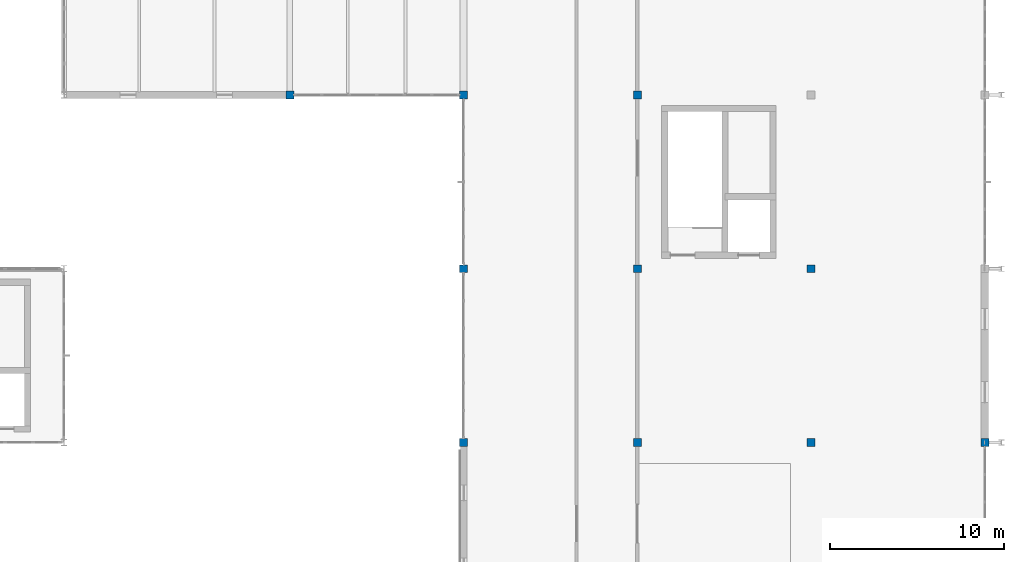
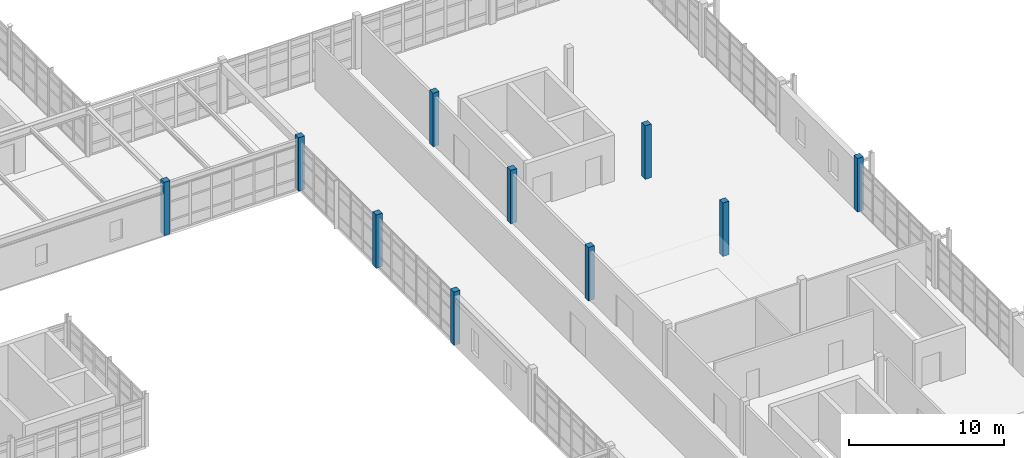
# One storey, part 17 of 122: 10 columns.
"""IFC4 building model written with IfcOpenShell, lengths in metres."""

from ifc_helpers import new_model, si_unit, direction, frame, origin, origin_2d, place, context, subcontext, project, spatial, rectangle, extrude, material, material_profile, profile_set, type_object, element, save


model = new_model("IFC4")

# Units and contexts
model_context = context("Model", 3, precision=1e-05, world=origin(), true_north=direction((0.0, 1.0)))
body_context = subcontext(model_context, "Body", "Model", "MODEL_VIEW")
ifc_project = project(units=[si_unit("LENGTHUNIT", "METRE"), si_unit("AREAUNIT", "SQUARE_METRE"), si_unit("VOLUMEUNIT", "CUBIC_METRE"), si_unit("PLANEANGLEUNIT", "RADIAN"), si_unit("MASSUNIT", "GRAM", prefix="KILO"), si_unit("THERMODYNAMICTEMPERATUREUNIT", "KELVIN"), si_unit("POWERUNIT", "WATT")], contexts=[model_context])

# Site, building, storey
site_placement = place(None, origin())
site = spatial("IfcSite", under=ifc_project, at=site_placement, CompositionType="ELEMENT")
building_placement = place(site_placement, origin())
building = spatial("IfcBuilding", under=site, at=building_placement, Name="Korenveer Ferry Terminal", CompositionType="ELEMENT")
storey_placement = place(building_placement, frame((0.0, 0.0, 10.199951171875)))
storey = spatial("IfcBuildingStorey", under=building, at=storey_placement, Name="L02", CompositionType="ELEMENT", Elevation=10.199951171875)

# Columns
ifc_material = material(Name="Concrete C45/55", Category="concrete")
ifc_material_profile = material_profile(ifc_material, rectangle(XDim=0.449951171875, YDim=0.449951171875, at=origin_2d()), Name="RC 450x450")
ifc_profile_set = profile_set([ifc_material_profile], Name="Concrete C45/55")
column_type = type_object("IfcColumnType", Name="STR-COL-RC450", PredefinedType="COLUMN", material=ifc_profile_set)
for number, where, z_axis, x_axis, name in (
    (1, (136.0, 70.0, 0.0), (0.0, 0.0, 1.0), (1.0, 0.0, 0.0), "Column COL-L02-X136-Y70"),
    (2, (146.0, 50.0, 0.0), (0.0, 0.0, 1.0), (1.0, 0.0, 0.0), "Column COL-L02-X146-Y50"),
    (3, (146.0, 60.0, 0.0), (0.0, 0.0, 1.0), (1.0, 0.0, 0.0), "Column COL-L02-X146-Y60"),
    (4, (146.0, 70.0, 0.0), (0.0, 0.0, 1.0), (1.0, 0.0, 0.0), "Column COL-L02-X146-Y70"),
    (5, (156.0, 50.0, 0.0), (0.0, 0.0, 1.0), (1.0, 0.0, 0.0), "Column COL-L02-X156-Y50"),
    (6, (156.0, 60.0, 0.0), (0.0, 0.0, 1.0), (1.0, 0.0, 0.0), "Column COL-L02-X156-Y60"),
    (7, (156.0, 70.0, 0.0), (0.0, 0.0, 1.0), (1.0, 0.0, 0.0), "Column COL-L02-X156-Y70"),
    (8, (166.0, 50.0, 0.0), (0.0, 0.0, 1.0), (1.0, 0.0, 0.0), "Column COL-L02-X166-Y50"),
    (9, (166.0, 60.0, 0.0), (0.0, 0.0, 1.0), (1.0, 0.0, 0.0), "Column COL-L02-X166-Y60"),
    (10, (176.0, 50.0, 0.0), (0.0, 0.0, 1.0), (1.0, 0.0, 0.0), "Column COL-L02-X176-Y50"),
):
    element("IfcColumn", number, at=place(storey_placement, frame(where, z_axis=z_axis, x_axis=x_axis)), inside=storey, type_object=column_type, Name=name, PredefinedType="COLUMN", context=body_context, shape_type="SweptSolid", body=[
        extrude(rectangle(XDim=0.449951171875, YDim=0.449951171875, at=origin_2d()), origin(), (0.0, 0.0, 1.0), 4.199951171875),
    ])

save(model, "model.ifc")
